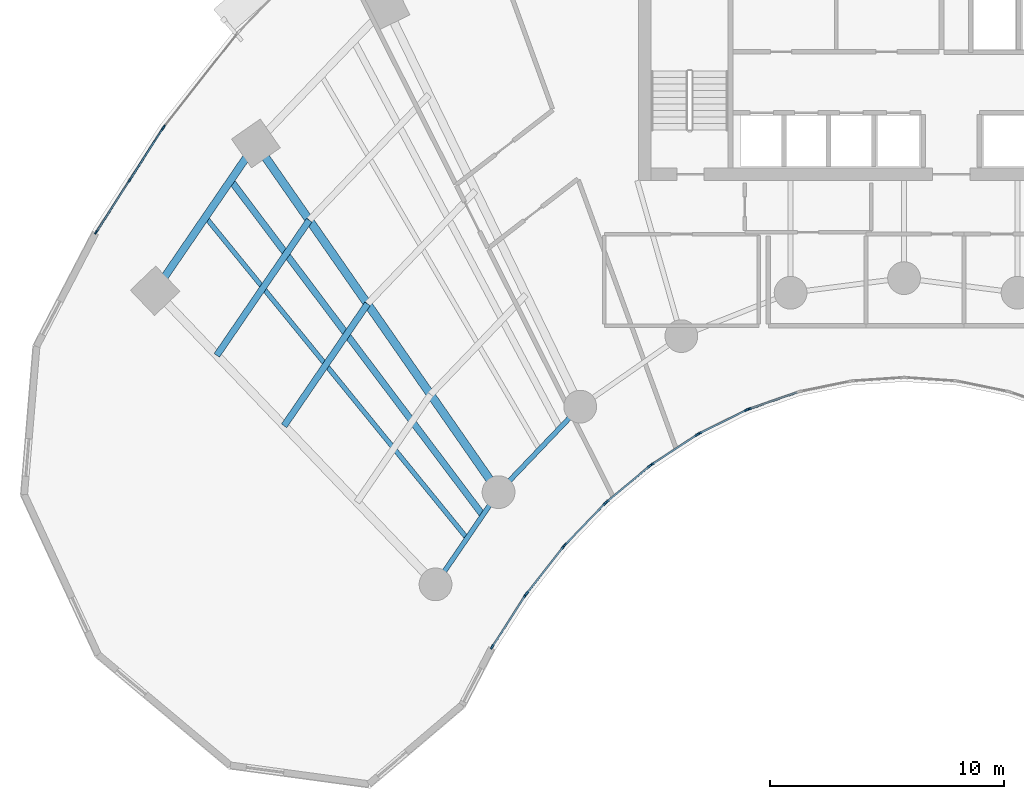
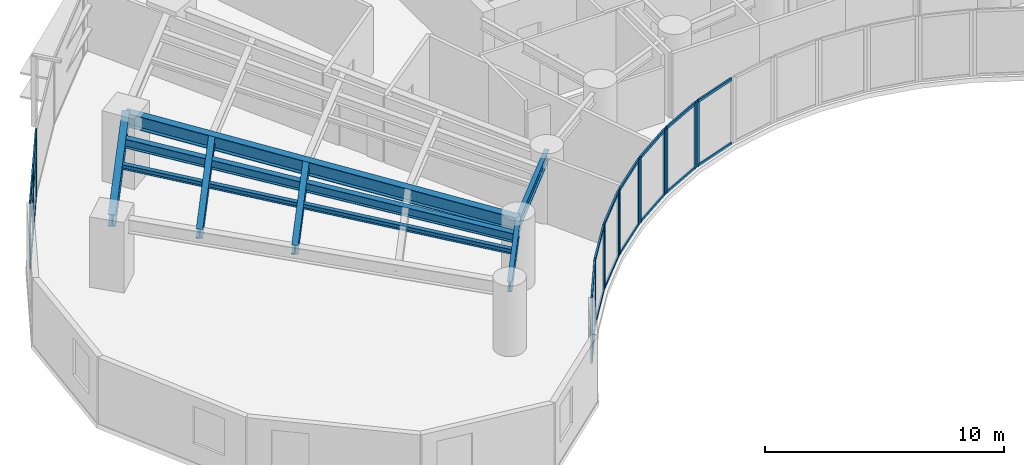
# One storey, part 2 of 17: 37 members, 8 beams, 9 elements without a shape of their own.
"""IFC4 building model written with IfcOpenShell, lengths in metres."""

from ifc_helpers import new_model, si_unit, direction, frame, origin, origin_2d, place, context, subcontext, project, spatial, rectangle, i_section, extrude, source, transform, mapped, material, layer, layer_set, material_profile, profile_set, type_object, type_shapes, element, aggregate, save


model = new_model("IFC4")

# Units and contexts
model_context = context("Model", 3, precision=1e-05, world=origin(), true_north=direction((0.0, 1.0)))
body_context = subcontext(model_context, "Body", "Model", "MODEL_VIEW")
ifc_project = project(units=[si_unit("LENGTHUNIT", "METRE"), si_unit("AREAUNIT", "SQUARE_METRE"), si_unit("VOLUMEUNIT", "CUBIC_METRE"), si_unit("PLANEANGLEUNIT", "RADIAN"), si_unit("MASSUNIT", "GRAM", prefix="KILO")], contexts=[model_context])

# Site, building, storey
site_placement = place(None, origin())
site = spatial("IfcSite", under=ifc_project, at=site_placement, CompositionType="ELEMENT")
building_placement = place(site_placement, origin())
building = spatial("IfcBuilding", under=site, at=building_placement, Name="Breltana Convention Tower", CompositionType="ELEMENT")
storey_placement = place(building_placement, frame((0.0, 0.0, 60.60009765625)))
storey = spatial("IfcBuildingStorey", under=building, at=storey_placement, Name="L13", CompositionType="ELEMENT", Elevation=60.60009765625)

# Beams
ifc_material_1 = material(Name="Steel ASTM A992 Grade 50", Category="steel")
ifc_material_profile_1 = material_profile(ifc_material_1, i_section(OverallWidth=0.323974609375, OverallDepth=0.611083984375, WebThickness=0.0126953125, FlangeThickness=0.01904296875, at=origin_2d()), Name="W24X104")
ifc_profile_set_1 = profile_set([ifc_material_profile_1], Name="Steel ASTM A992 Grade 50")
beam_type_1 = type_object("IfcBeamType", Name="BM-SP-W24X104", PredefinedType="SPANDREL", material=ifc_profile_set_1)
shared_shape_1 = source(origin(), body_context, "Body", "SweptSolid", [
    extrude(i_section(OverallWidth=0.323974609375, OverallDepth=0.611083984375, WebThickness=0.0126953125, FlangeThickness=0.01904296875, at=origin_2d()), origin(), (0.0, 0.0, 1.0), 7.625),
])
type_shapes(beam_type_1, [shared_shape_1])
beam_1_placement = place(storey_placement, frame((16.0068359375, 55.494384765625, 3.054443359375), z_axis=(0.564452031902, 0.825465870694, 0.0), x_axis=(-0.825465870694, 0.564452031902, 0.0)))
element("IfcBeam", 1, at=beam_1_placement, inside=storey, type_object=beam_type_1, Name="L13 Outer Spandrel Beam 01", PredefinedType="SPANDREL", context=body_context, shape_type="MappedRepresentation", body=[
    mapped(shared_shape_1, transform((0.0, 0.0, 0.0), scale=1.0)),
])
ifc_material_profile_2 = material_profile(ifc_material_1, i_section(OverallWidth=0.35498046875, OverallDepth=0.696044921875, WebThickness=0.015380859375, FlangeThickness=0.02490234375, at=origin_2d()), Name="W27X146")
ifc_profile_set_2 = profile_set([ifc_material_profile_2], Name="Steel ASTM A992 Grade 50")
beam_type_2 = type_object("IfcBeamType", Name="BM-RG-W27X146", PredefinedType="USERDEFINED", material=ifc_profile_set_2)
shared_shape_2 = source(origin(), body_context, "Body", "SweptSolid", [
    extrude(i_section(OverallWidth=0.35498046875, OverallDepth=0.696044921875, WebThickness=0.015380859375, FlangeThickness=0.02490234375, at=origin_2d()), origin(), (0.0, 0.0, 1.0), 18.1484375),
])
beam_2_placement = place(storey_placement, frame((30.67724609375, 46.892333984375, 3.011962890625), z_axis=(-0.571207556098, 0.820805657788, 0.0), x_axis=(-0.820805657788, -0.571207556098, 0.0)))
element("IfcBeam", 2, at=beam_2_placement, inside=storey, type_object=beam_type_2, Name="L13 Radial Floor Girder R02", ObjectType="GIRDER", PredefinedType="USERDEFINED", context=body_context, shape_type="MappedRepresentation", body=[
    mapped(shared_shape_2, transform((0.0, 0.0, 0.0), scale=1.0)),
])
ifc_material_profile_3 = material_profile(ifc_material_1, i_section(OverallWidth=0.2099609375, OverallDepth=0.537109375, WebThickness=0.010986328125, FlangeThickness=0.017333984375, at=origin_2d()), Name="W21X68")
ifc_profile_set_3 = profile_set([ifc_material_profile_3], Name="Steel ASTM A992 Grade 50")
beam_type_3 = type_object("IfcBeamType", Name="BM-BM-W21X68", PredefinedType="BEAM", material=ifc_profile_set_3)
shared_shape_3 = source(origin(), body_context, "Body", "SweptSolid", [
    extrude(i_section(OverallWidth=0.2099609375, OverallDepth=0.537109375, WebThickness=0.010986328125, FlangeThickness=0.017333984375, at=origin_2d()), origin(), (0.0, 0.0, 1.0), 4.770263671875),
])
beam_3_placement = place(storey_placement, frame((27.984619140625, 42.95458984375, 3.09130859375), z_axis=(0.564452719055, 0.82546540082, 0.0), x_axis=(-0.82546540082, 0.564452719055, 0.0)))
element("IfcBeam", 3, at=beam_3_placement, inside=storey, type_object=beam_type_3, Name="L13 Inner Ring Beam 01", PredefinedType="BEAM", context=body_context, shape_type="MappedRepresentation", body=[
    mapped(shared_shape_3, transform((0.0, 0.0, 0.0), scale=1.0)),
])
shared_shape_4 = source(origin(), body_context, "Body", "SweptSolid", [
    extrude(i_section(OverallWidth=0.2099609375, OverallDepth=0.537109375, WebThickness=0.010986328125, FlangeThickness=0.017333984375, at=origin_2d()), origin(), (0.0, 0.0, 1.0), 5.05126953125),
])
beam_4_placement = place(storey_placement, frame((30.67724609375, 46.892333984375, 3.09130859375), z_axis=(0.690729753845, 0.7231129975, 0.0), x_axis=(-0.7231129975, 0.690729753845, 0.0)))
element("IfcBeam", 4, at=beam_4_placement, inside=storey, type_object=beam_type_3, Name="L13 Inner Ring Beam 02", PredefinedType="BEAM", context=body_context, shape_type="MappedRepresentation", body=[
    mapped(shared_shape_4, transform((0.0, 0.0, 0.0), scale=1.0)),
])
ifc_material_profile_4 = material_profile(ifc_material_1, i_section(OverallWidth=0.280029296875, OverallDepth=0.462890625, WebThickness=0.0107421875, FlangeThickness=0.017333984375, at=origin_2d()), Name="W18X76")
ifc_profile_set_4 = profile_set([ifc_material_profile_4], Name="Steel ASTM A992 Grade 50")
beam_type_4 = type_object("IfcBeamType", Name="BM-JSG-06", PredefinedType="JOIST", material=ifc_profile_set_4)
shared_shape_5 = source(origin(), body_context, "Body", "SweptSolid", [
    extrude(i_section(OverallWidth=0.280029296875, OverallDepth=0.462890625, WebThickness=0.0107421875, FlangeThickness=0.017333984375, at=origin_2d()), origin(), (0.0, 0.0, 1.0), 6.311767578125),
])
beam_5_placement = place(storey_placement, frame((21.5166015625, 49.72607421875, 3.12841796875), z_axis=(0.564453712577, 0.825464721449, 0.0), x_axis=(-0.825464721449, 0.564453712577, 0.0)))
element("IfcBeam", 5, at=beam_5_placement, inside=storey, type_object=beam_type_4, Name="L13 Composite Floor Joist 01.2", PredefinedType="JOIST", context=body_context, shape_type="MappedRepresentation", body=[
    mapped(shared_shape_5, transform((0.0, 0.0, 0.0), scale=1.0)),
])
shared_shape_6 = source(origin(), body_context, "Body", "SweptSolid", [
    extrude(i_section(OverallWidth=0.280029296875, OverallDepth=0.462890625, WebThickness=0.0107421875, FlangeThickness=0.017333984375, at=origin_2d()), origin(), (0.0, 0.0, 1.0), 6.997314453125),
])
beam_6_placement = place(storey_placement, frame((18.641845703125, 52.735595703125, 3.12841796875), z_axis=(0.564468756361, 0.825454434292, 0.0), x_axis=(-0.825454434292, 0.564468756361, 0.0)))
element("IfcBeam", 6, at=beam_6_placement, inside=storey, type_object=beam_type_4, Name="L13 Composite Floor Joist 01.3", PredefinedType="JOIST", context=body_context, shape_type="MappedRepresentation", body=[
    mapped(shared_shape_6, transform((0.0, 0.0, 0.0), scale=1.0)),
])
ifc_material_profile_5 = material_profile(ifc_material_1, i_section(OverallWidth=0.201904296875, OverallDepth=0.2470703125, WebThickness=0.00732421875, FlangeThickness=0.010986328125, at=origin_2d()), Name="W10X33")
ifc_profile_set_5 = profile_set([ifc_material_profile_5], Name="Steel ASTM A992 Grade 50")
beam_type_5 = type_object("IfcBeamType", Name="BM-JSG-11", PredefinedType="JOIST", material=ifc_profile_set_5)
shared_shape_7 = source(origin(), body_context, "Body", "SweptSolid", [
    extrude(i_section(OverallWidth=0.201904296875, OverallDepth=0.2470703125, WebThickness=0.00732421875, FlangeThickness=0.010986328125, at=origin_2d()), origin(), (0.0, 0.0, 1.0), 17.691650390625),
])
type_shapes(beam_type_5, [shared_shape_7])
beam_7_placement = place(storey_placement, frame((29.330810546875, 44.923583984375, 3.236328125), z_axis=(-0.631476958478, 0.775394642044, 0.0), x_axis=(-0.775394642044, -0.631476958478, 0.0)))
element("IfcBeam", 7, at=beam_7_placement, inside=storey, type_object=beam_type_5, Name="L13 Mid-Bay Radial Trimmer 01", PredefinedType="JOIST", context=body_context, shape_type="MappedRepresentation", body=[
    mapped(shared_shape_7, transform((0.0, 0.0, 0.0), scale=1.0)),
])
shared_shape_8 = source(origin(), body_context, "Body", "SweptSolid", [
    extrude(i_section(OverallWidth=0.280029296875, OverallDepth=0.462890625, WebThickness=0.0107421875, FlangeThickness=0.017333984375, at=origin_2d()), origin(), (0.0, 0.0, 1.0), 17.9072265625),
])
beam_8_placement = place(storey_placement, frame((30.00390625, 45.907958984375, 3.12841796875), z_axis=(-0.601382105028, 0.798961553363, 0.0), x_axis=(-0.798961553363, -0.601382105028, 0.0)))
element("IfcBeam", 8, at=beam_8_placement, inside=storey, type_object=beam_type_4, Name="L13 Quarter-Bay Radial Trimmer 01", PredefinedType="JOIST", context=body_context, shape_type="MappedRepresentation", body=[
    mapped(shared_shape_8, transform((0.0, 0.0, 0.0), scale=1.0)),
])

# Curtain wall, members
ifc_material_2 = material(Name="Aluminium Anodised Bronze Frame", Category="aluminium")
ifc_layer_1 = layer(ifc_material_2, 0.18994140625, Name="Aluminium Anodised Bronze Frame")
ifc_layer_set_1 = layer_set([ifc_layer_1], Name="Aluminium Anodised Bronze Frame")
curtain_wall_type_1 = type_object("IfcCurtainWallType", Name="CW-SYS-1", PredefinedType="NOTDEFINED", material=ifc_layer_set_1)
curtain_wall_1_placement = place(storey_placement, origin())
curtain_wall_1 = element("IfcCurtainWall", 9, at=curtain_wall_1_placement, inside=storey, type_object=curtain_wall_type_1, Name="L13 inner south-court glazing 16", PredefinedType="NOTDEFINED")
ifc_material_3 = material(Name="Aluminium Anodised Bronze", Category="aluminium")
ifc_material_profile_6 = material_profile(ifc_material_3, rectangle(XDim=0.080078125, YDim=0.139892578125, at=origin_2d()), Name="CWT-80X140")
ifc_profile_set_6 = profile_set([ifc_material_profile_6], Name="Aluminium Anodised Bronze")
member_type_1 = type_object("IfcMemberType", Name="CWT-140", PredefinedType="USERDEFINED", material=ifc_profile_set_6)
shared_shape_9 = source(origin(), body_context, "Body", "SweptSolid", [
    extrude(rectangle(XDim=0.080078125, YDim=0.139892578125, at=origin_2d()), origin(), (0.0, 0.0, 1.0), 2.38720703125),
])
type_shapes(member_type_1, [shared_shape_9])
member_1_placement = place(storey_placement, frame((35.2021484375, 46.385009765625, 0.039794921875), z_axis=(-0.694623715393, -0.719373264734, 0.0), x_axis=(0.719373264734, -0.694623715393, 0.0)))
member_1 = element("IfcMember", 10, at=member_1_placement, type_object=member_type_1, Name="CW-01 transom 1.1", ObjectType="TRANSOM", PredefinedType="USERDEFINED", context=body_context, shape_type="MappedRepresentation", body=[
    mapped(shared_shape_9, transform((0.0, 0.0, 0.0), scale=1.0)),
])
member_2_placement = place(storey_placement, frame((35.2021484375, 46.385009765625, 3.31982421875), z_axis=(-0.694623715393, -0.719373264734, 0.0), x_axis=(0.719373264734, -0.694623715393, 0.0)))
member_2 = element("IfcMember", 11, at=member_2_placement, type_object=member_type_1, Name="CW-01 transom 1.2", ObjectType="TRANSOM", PredefinedType="USERDEFINED", context=body_context, shape_type="MappedRepresentation", body=[
    mapped(shared_shape_9, transform((0.0, 0.0, 0.0), scale=1.0)),
])

curtain_wall_2_placement = place(storey_placement, origin())
curtain_wall_2 = element("IfcCurtainWall", 12, at=curtain_wall_2_placement, inside=storey, type_object=curtain_wall_type_1, Name="L13 inner south-court glazing 15", PredefinedType="NOTDEFINED")
shared_shape_10 = source(origin(), body_context, "Body", "SweptSolid", [
    extrude(rectangle(XDim=0.080078125, YDim=0.139892578125, at=origin_2d()), origin(), (0.0, 0.0, 1.0), 2.312255859375),
])
member_3_placement = place(storey_placement, frame((37.10888671875, 47.988037109375, 0.039794921875), z_axis=(-0.767900974507, -0.640568570374, 0.0), x_axis=(0.640568570374, -0.767900974507, 0.0)))
member_3 = element("IfcMember", 13, at=member_3_placement, type_object=member_type_1, Name="CW-01 transom 1.1", ObjectType="TRANSOM", PredefinedType="USERDEFINED", context=body_context, shape_type="MappedRepresentation", body=[
    mapped(shared_shape_10, transform((0.0, 0.0, 0.0), scale=1.0)),
])
member_4_placement = place(storey_placement, frame((37.10888671875, 47.988037109375, 3.31982421875), z_axis=(-0.767900974507, -0.640568570374, 0.0), x_axis=(0.640568570374, -0.767900974507, 0.0)))
member_4 = element("IfcMember", 14, at=member_4_placement, type_object=member_type_1, Name="CW-01 transom 1.2", ObjectType="TRANSOM", PredefinedType="USERDEFINED", context=body_context, shape_type="MappedRepresentation", body=[
    mapped(shared_shape_10, transform((0.0, 0.0, 0.0), scale=1.0)),
])

curtain_wall_3_placement = place(storey_placement, origin())
curtain_wall_3 = element("IfcCurtainWall", 15, at=curtain_wall_3_placement, inside=storey, type_object=curtain_wall_type_1, Name="L13 inner south-court glazing 14", PredefinedType="NOTDEFINED")
shared_shape_11 = source(origin(), body_context, "Body", "SweptSolid", [
    extrude(rectangle(XDim=0.080078125, YDim=0.139892578125, at=origin_2d()), origin(), (0.0, 0.0, 1.0), 2.2421875),
])
member_5_placement = place(storey_placement, frame((39.128173828125, 49.325927734375, 0.039794921875), z_axis=(-0.835982353773, -0.548756324957, 0.0), x_axis=(0.548756324957, -0.835982353773, 0.0)))
member_5 = element("IfcMember", 16, at=member_5_placement, type_object=member_type_1, Name="CW-01 transom 1.1", ObjectType="TRANSOM", PredefinedType="USERDEFINED", context=body_context, shape_type="MappedRepresentation", body=[
    mapped(shared_shape_11, transform((0.0, 0.0, 0.0), scale=1.0)),
])
member_6_placement = place(storey_placement, frame((39.128173828125, 49.325927734375, 3.31982421875), z_axis=(-0.835982353773, -0.548756324957, 0.0), x_axis=(0.548756324957, -0.835982353773, 0.0)))
member_6 = element("IfcMember", 17, at=member_6_placement, type_object=member_type_1, Name="CW-01 transom 1.2", ObjectType="TRANSOM", PredefinedType="USERDEFINED", context=body_context, shape_type="MappedRepresentation", body=[
    mapped(shared_shape_11, transform((0.0, 0.0, 0.0), scale=1.0)),
])

curtain_wall_4_placement = place(storey_placement, origin())
curtain_wall_4 = element("IfcCurtainWall", 18, at=curtain_wall_4_placement, inside=storey, type_object=curtain_wall_type_1, Name="L13 inner south-court glazing 13", PredefinedType="NOTDEFINED")
shared_shape_12 = source(origin(), body_context, "Body", "SweptSolid", [
    extrude(rectangle(XDim=0.080078125, YDim=0.139892578125, at=origin_2d()), origin(), (0.0, 0.0, 1.0), 2.180908203125),
])
member_7_placement = place(storey_placement, frame((41.239501953125, 50.384765625, 0.039794921875), z_axis=(-0.895922266369, -0.444210865045, 0.0), x_axis=(0.444210865045, -0.895922266369, 0.0)))
member_7 = element("IfcMember", 19, at=member_7_placement, type_object=member_type_1, Name="CW-01 transom 1.1", ObjectType="TRANSOM", PredefinedType="USERDEFINED", context=body_context, shape_type="MappedRepresentation", body=[
    mapped(shared_shape_12, transform((0.0, 0.0, 0.0), scale=1.0)),
])
member_8_placement = place(storey_placement, frame((41.239501953125, 50.384765625, 3.31982421875), z_axis=(-0.895922266369, -0.444210865045, 0.0), x_axis=(0.444210865045, -0.895922266369, 0.0)))
member_8 = element("IfcMember", 20, at=member_8_placement, type_object=member_type_1, Name="CW-01 transom 1.2", ObjectType="TRANSOM", PredefinedType="USERDEFINED", context=body_context, shape_type="MappedRepresentation", body=[
    mapped(shared_shape_12, transform((0.0, 0.0, 0.0), scale=1.0)),
])

curtain_wall_5_placement = place(storey_placement, origin())
curtain_wall_5 = element("IfcCurtainWall", 21, at=curtain_wall_5_placement, inside=storey, type_object=curtain_wall_type_1, Name="L13 inner south-court glazing 17", PredefinedType="NOTDEFINED")
shared_shape_13 = source(origin(), body_context, "Body", "SweptSolid", [
    extrude(rectangle(XDim=0.080078125, YDim=0.139892578125, at=origin_2d()), origin(), (0.0, 0.0, 1.0), 2.4638671875),
])
member_9_placement = place(storey_placement, frame((33.427001953125, 44.533447265625, 0.039794921875), z_axis=(-0.618184689608, -0.786032880695, 0.0), x_axis=(0.786032880695, -0.618184689608, 0.0)))
member_9 = element("IfcMember", 22, at=member_9_placement, type_object=member_type_1, Name="CW-01 transom 1.1", ObjectType="TRANSOM", PredefinedType="USERDEFINED", context=body_context, shape_type="MappedRepresentation", body=[
    mapped(shared_shape_13, transform((0.0, 0.0, 0.0), scale=1.0)),
])
member_10_placement = place(storey_placement, frame((33.427001953125, 44.533447265625, 3.31982421875), z_axis=(-0.618184689608, -0.786032880695, 0.0), x_axis=(0.786032880695, -0.618184689608, 0.0)))
member_10 = element("IfcMember", 23, at=member_10_placement, type_object=member_type_1, Name="CW-01 transom 1.2", ObjectType="TRANSOM", PredefinedType="USERDEFINED", context=body_context, shape_type="MappedRepresentation", body=[
    mapped(shared_shape_13, transform((0.0, 0.0, 0.0), scale=1.0)),
])

curtain_wall_6_placement = place(storey_placement, origin())
curtain_wall_6 = element("IfcCurtainWall", 24, at=curtain_wall_6_placement, inside=storey, type_object=curtain_wall_type_1, Name="L13 inner south-court glazing 18", PredefinedType="NOTDEFINED")
shared_shape_14 = source(origin(), body_context, "Body", "SweptSolid", [
    extrude(rectangle(XDim=0.080078125, YDim=0.139892578125, at=origin_2d()), origin(), (0.0, 0.0, 1.0), 2.53955078125),
])
member_11_placement = place(storey_placement, frame((31.801025390625, 42.452392578125, 0.039794921875), z_axis=(-0.540174413174, -0.841553090038, 0.0), x_axis=(0.841553090038, -0.540174413174, 0.0)))
member_11 = element("IfcMember", 25, at=member_11_placement, type_object=member_type_1, Name="CW-01 transom 1.1", ObjectType="TRANSOM", PredefinedType="USERDEFINED", context=body_context, shape_type="MappedRepresentation", body=[
    mapped(shared_shape_14, transform((0.0, 0.0, 0.0), scale=1.0)),
])
member_12_placement = place(storey_placement, frame((31.801025390625, 42.452392578125, 3.31982421875), z_axis=(-0.540174413174, -0.841553090038, 0.0), x_axis=(0.841553090038, -0.540174413174, 0.0)))
member_12 = element("IfcMember", 26, at=member_12_placement, type_object=member_type_1, Name="CW-01 transom 1.2", ObjectType="TRANSOM", PredefinedType="USERDEFINED", context=body_context, shape_type="MappedRepresentation", body=[
    mapped(shared_shape_14, transform((0.0, 0.0, 0.0), scale=1.0)),
])

curtain_wall_7_placement = place(storey_placement, origin())
curtain_wall_7 = element("IfcCurtainWall", 27, at=curtain_wall_7_placement, inside=storey, type_object=curtain_wall_type_1, Name="L13 inner south-court glazing 12", PredefinedType="NOTDEFINED")
shared_shape_15 = source(origin(), body_context, "Body", "SweptSolid", [
    extrude(rectangle(XDim=0.080078125, YDim=0.139892578125, at=origin_2d()), origin(), (0.0, 0.0, 1.0), 2.131103515625),
])
member_13_placement = place(storey_placement, frame((43.421630859375, 51.153076171875, 0.039794921875), z_axis=(-0.944847069856, -0.327511854112, 0.0), x_axis=(0.327511854112, -0.944847069856, 0.0)))
member_13 = element("IfcMember", 28, at=member_13_placement, type_object=member_type_1, Name="CW-01 transom 1.1", ObjectType="TRANSOM", PredefinedType="USERDEFINED", context=body_context, shape_type="MappedRepresentation", body=[
    mapped(shared_shape_15, transform((0.0, 0.0, 0.0), scale=1.0)),
])
member_14_placement = place(storey_placement, frame((43.421630859375, 51.153076171875, 3.31982421875), z_axis=(-0.944847069856, -0.327511854112, 0.0), x_axis=(0.327511854112, -0.944847069856, 0.0)))
member_14 = element("IfcMember", 29, at=member_14_placement, type_object=member_type_1, Name="CW-01 transom 1.2", ObjectType="TRANSOM", PredefinedType="USERDEFINED", context=body_context, shape_type="MappedRepresentation", body=[
    mapped(shared_shape_15, transform((0.0, 0.0, 0.0), scale=1.0)),
])

ifc_layer_2 = layer(ifc_material_2, 0.199951171875, Name="Aluminium Anodised Bronze Frame")
ifc_layer_set_2 = layer_set([ifc_layer_2], Name="Aluminium Anodised Bronze Frame")
curtain_wall_type_2 = type_object("IfcCurtainWallType", Name="CW-SYS-2", PredefinedType="NOTDEFINED", material=ifc_layer_set_2)
curtain_wall_8_placement = place(storey_placement, origin())
curtain_wall_8 = element("IfcCurtainWall", 30, at=curtain_wall_8_placement, inside=storey, type_object=curtain_wall_type_2, Name="L13 outer double-skin inner glazing 1", PredefinedType="NOTDEFINED")
ifc_material_profile_7 = material_profile(ifc_material_3, rectangle(XDim=0.070068359375, YDim=0.1201171875, at=origin_2d()), Name="CWT-70X120")
ifc_profile_set_7 = profile_set([ifc_material_profile_7], Name="Aluminium Anodised Bronze")
member_type_2 = type_object("IfcMemberType", Name="CWT-120", PredefinedType="USERDEFINED", material=ifc_profile_set_7)
shared_shape_16 = source(origin(), body_context, "Body", "SweptSolid", [
    extrude(rectangle(XDim=0.070068359375, YDim=0.1201171875, at=origin_2d()), origin(), (0.0, 0.0, 1.0), 2.56787109375),
])
type_shapes(member_type_2, [shared_shape_16])
member_15_placement = place(storey_placement, frame((13.505859375, 58.0234375, 0.034912109375), z_axis=(0.54022409371, 0.841521199124, 0.0), x_axis=(-0.841521199124, 0.54022409371, 0.0)))
member_15 = element("IfcMember", 31, at=member_15_placement, type_object=member_type_2, Name="CW-02 transom 1.1", ObjectType="TRANSOM", PredefinedType="USERDEFINED", context=body_context, shape_type="MappedRepresentation", body=[
    mapped(shared_shape_16, transform((0.0, 0.0, 0.0), scale=1.0)),
])
member_16_placement = place(storey_placement, frame((13.505859375, 58.0234375, 2.183837890625), z_axis=(0.54022409371, 0.841521199124, 0.0), x_axis=(-0.841521199124, 0.54022409371, 0.0)))
member_16 = element("IfcMember", 32, at=member_16_placement, type_object=member_type_2, Name="CW-02 transom 1.2", ObjectType="TRANSOM", PredefinedType="USERDEFINED", context=body_context, shape_type="MappedRepresentation", body=[
    mapped(shared_shape_16, transform((0.0, 0.0, 0.0), scale=1.0)),
])
member_17_placement = place(storey_placement, frame((13.505859375, 58.0234375, 3.324951171875), z_axis=(0.54022409371, 0.841521199124, 0.0), x_axis=(-0.841521199124, 0.54022409371, 0.0)))
member_17 = element("IfcMember", 33, at=member_17_placement, type_object=member_type_2, Name="CW-02 transom 1.3", ObjectType="TRANSOM", PredefinedType="USERDEFINED", context=body_context, shape_type="MappedRepresentation", body=[
    mapped(shared_shape_16, transform((0.0, 0.0, 0.0), scale=1.0)),
])
member_18_placement = place(storey_placement, frame((14.930908203125, 60.2431640625, 0.034912109375), z_axis=(0.540113540427, 0.841592159806, 0.0), x_axis=(-0.841592159806, 0.540113540427, 0.0)))
member_18 = element("IfcMember", 34, at=member_18_placement, type_object=member_type_2, Name="CW-02 transom 2.1", ObjectType="TRANSOM", PredefinedType="USERDEFINED", context=body_context, shape_type="MappedRepresentation", body=[
    mapped(shared_shape_16, transform((0.0, 0.0, 0.0), scale=1.0)),
])
member_19_placement = place(storey_placement, frame((14.930908203125, 60.2431640625, 2.183837890625), z_axis=(0.540113540427, 0.841592159806, 0.0), x_axis=(-0.841592159806, 0.540113540427, 0.0)))
member_19 = element("IfcMember", 35, at=member_19_placement, type_object=member_type_2, Name="CW-02 transom 2.2", ObjectType="TRANSOM", PredefinedType="USERDEFINED", context=body_context, shape_type="MappedRepresentation", body=[
    mapped(shared_shape_16, transform((0.0, 0.0, 0.0), scale=1.0)),
])
member_20_placement = place(storey_placement, frame((14.930908203125, 60.2431640625, 3.324951171875), z_axis=(0.540113540427, 0.841592159806, 0.0), x_axis=(-0.841592159806, 0.540113540427, 0.0)))
member_20 = element("IfcMember", 36, at=member_20_placement, type_object=member_type_2, Name="CW-02 transom 2.3", ObjectType="TRANSOM", PredefinedType="USERDEFINED", context=body_context, shape_type="MappedRepresentation", body=[
    mapped(shared_shape_16, transform((0.0, 0.0, 0.0), scale=1.0)),
])

# Member
ifc_material_profile_8 = material_profile(ifc_material_3, rectangle(XDim=0.080078125, YDim=0.199951171875, at=origin_2d()), Name="CWM-80X200")
ifc_profile_set_8 = profile_set([ifc_material_profile_8], Name="Aluminium Anodised Bronze")
member_type_3 = type_object("IfcMemberType", Name="CWM-200", PredefinedType="MULLION", material=ifc_profile_set_8)
shared_shape_17 = source(origin(), body_context, "Body", "SweptSolid", [
    extrude(rectangle(XDim=0.080078125, YDim=0.199951171875, at=origin_2d()), origin(), (0.0, 0.0, 1.0), 3.35986328125),
])
member_21_placement = place(storey_placement, frame((41.3701171875, 50.442138671875, 0.0), z_axis=(0.0, 0.0, 1.0), x_axis=(0.327413341714, -0.944881211406, 0.0)))
member_21 = element("IfcMember", 37, at=member_21_placement, type_object=member_type_3, Name="CW-01 mullion 2", PredefinedType="MULLION", context=body_context, shape_type="MappedRepresentation", body=[
    mapped(shared_shape_17, transform((0.0, 0.0, 0.0), scale=1.0)),
])

aggregate(curtain_wall_7, [member_21, member_13, member_14])

member_22_placement = place(storey_placement, frame((41.275390625, 50.40234375, 0.0), z_axis=(0.0, 0.0, 1.0), x_axis=(0.444117987602, -0.895968310315, 0.0)))
member_22 = element("IfcMember", 38, at=member_22_placement, type_object=member_type_3, Name="CW-01 mullion 1", PredefinedType="MULLION", context=body_context, shape_type="MappedRepresentation", body=[
    mapped(shared_shape_17, transform((0.0, 0.0, 0.0), scale=1.0)),
])

member_23_placement = place(storey_placement, frame((39.249755859375, 49.3984375, 0.0), z_axis=(0.0, 0.0, 1.0), x_axis=(0.444117987602, -0.895968310315, 0.0)))
member_23 = element("IfcMember", 39, at=member_23_placement, type_object=member_type_3, Name="CW-01 mullion 2", PredefinedType="MULLION", context=body_context, shape_type="MappedRepresentation", body=[
    mapped(shared_shape_17, transform((0.0, 0.0, 0.0), scale=1.0)),
])

aggregate(curtain_wall_4, [member_22, member_23, member_7, member_8])

member_24_placement = place(storey_placement, frame((39.16162109375, 49.347900390625, 0.0), z_axis=(0.0, 0.0, 1.0), x_axis=(0.548778278441, -0.835967942634, 0.0)))
member_24 = element("IfcMember", 40, at=member_24_placement, type_object=member_type_3, Name="CW-01 mullion 1", PredefinedType="MULLION", context=body_context, shape_type="MappedRepresentation", body=[
    mapped(shared_shape_17, transform((0.0, 0.0, 0.0), scale=1.0)),
])

member_25_placement = place(storey_placement, frame((37.220458984375, 48.073486328125, 0.0), z_axis=(0.0, 0.0, 1.0), x_axis=(0.548778278441, -0.835967942634, 0.0)))
member_25 = element("IfcMember", 41, at=member_25_placement, type_object=member_type_3, Name="CW-01 mullion 2", PredefinedType="MULLION", context=body_context, shape_type="MappedRepresentation", body=[
    mapped(shared_shape_17, transform((0.0, 0.0, 0.0), scale=1.0)),
])

aggregate(curtain_wall_3, [member_24, member_25, member_5, member_6])

member_26_placement = place(storey_placement, frame((37.1396484375, 48.013671875, 0.0), z_axis=(0.0, 0.0, 1.0), x_axis=(0.640522524458, -0.767939382804, 0.0)))
member_26 = element("IfcMember", 42, at=member_26_placement, type_object=member_type_3, Name="CW-01 mullion 1", PredefinedType="MULLION", context=body_context, shape_type="MappedRepresentation", body=[
    mapped(shared_shape_17, transform((0.0, 0.0, 0.0), scale=1.0)),
])

member_27_placement = place(storey_placement, frame((35.302734375, 46.481201171875, 0.0), z_axis=(0.0, 0.0, 1.0), x_axis=(0.640522524458, -0.767939382804, 0.0)))
member_27 = element("IfcMember", 43, at=member_27_placement, type_object=member_type_3, Name="CW-01 mullion 2", PredefinedType="MULLION", context=body_context, shape_type="MappedRepresentation", body=[
    mapped(shared_shape_17, transform((0.0, 0.0, 0.0), scale=1.0)),
])

aggregate(curtain_wall_2, [member_26, member_27, member_3, member_4])

member_28_placement = place(storey_placement, frame((35.22998046875, 46.413818359375, 0.0), z_axis=(0.0, 0.0, 1.0), x_axis=(0.719384548773, -0.694612029111, 0.0)))
member_28 = element("IfcMember", 44, at=member_28_placement, type_object=member_type_3, Name="CW-01 mullion 1", PredefinedType="MULLION", context=body_context, shape_type="MappedRepresentation", body=[
    mapped(shared_shape_17, transform((0.0, 0.0, 0.0), scale=1.0)),
])

member_29_placement = place(storey_placement, frame((33.51611328125, 44.638916015625, 0.0), z_axis=(0.0, 0.0, 1.0), x_axis=(0.719384548773, -0.694612029111, 0.0)))
member_29 = element("IfcMember", 45, at=member_29_placement, type_object=member_type_3, Name="CW-01 mullion 2", PredefinedType="MULLION", context=body_context, shape_type="MappedRepresentation", body=[
    mapped(shared_shape_17, transform((0.0, 0.0, 0.0), scale=1.0)),
])

aggregate(curtain_wall_1, [member_28, member_29, member_1, member_2])

member_30_placement = place(storey_placement, frame((33.45166015625, 44.56494140625, 0.0), z_axis=(0.0, 0.0, 1.0), x_axis=(0.786057762734, -0.61815305034, 0.0)))
member_30 = element("IfcMember", 46, at=member_30_placement, type_object=member_type_3, Name="CW-01 mullion 1", PredefinedType="MULLION", context=body_context, shape_type="MappedRepresentation", body=[
    mapped(shared_shape_17, transform((0.0, 0.0, 0.0), scale=1.0)),
])

member_31_placement = place(storey_placement, frame((31.87890625, 42.565185546875, 0.0), z_axis=(0.0, 0.0, 1.0), x_axis=(0.786057762734, -0.61815305034, 0.0)))
member_31 = element("IfcMember", 47, at=member_31_placement, type_object=member_type_3, Name="CW-01 mullion 2", PredefinedType="MULLION", context=body_context, shape_type="MappedRepresentation", body=[
    mapped(shared_shape_17, transform((0.0, 0.0, 0.0), scale=1.0)),
])

aggregate(curtain_wall_5, [member_30, member_31, member_9, member_10])

member_32_placement = place(storey_placement, frame((31.82275390625, 42.48583984375, 0.0), z_axis=(0.0, 0.0, 1.0), x_axis=(0.841556194767, -0.540169576197, 0.0)))
member_32 = element("IfcMember", 48, at=member_32_placement, type_object=member_type_3, Name="CW-01 mullion 1", PredefinedType="MULLION", context=body_context, shape_type="MappedRepresentation", body=[
    mapped(shared_shape_17, transform((0.0, 0.0, 0.0), scale=1.0)),
])

member_33_placement = place(storey_placement, frame((30.40771484375, 40.281494140625, 0.0), z_axis=(0.0, 0.0, 1.0), x_axis=(0.841556194767, -0.540169576197, 0.0)))
member_33 = element("IfcMember", 49, at=member_33_placement, type_object=member_type_3, Name="CW-01 mullion 2", PredefinedType="MULLION", context=body_context, shape_type="MappedRepresentation", body=[
    mapped(shared_shape_17, transform((0.0, 0.0, 0.0), scale=1.0)),
])

aggregate(curtain_wall_6, [member_32, member_33, member_11, member_12])

ifc_material_profile_9 = material_profile(ifc_material_3, rectangle(XDim=0.070068359375, YDim=0.175048828125, at=origin_2d()), Name="CWM-70X175")
ifc_profile_set_9 = profile_set([ifc_material_profile_9], Name="Aluminium Anodised Bronze")
member_type_4 = type_object("IfcMemberType", Name="CWM-175", PredefinedType="MULLION", material=ifc_profile_set_9)
shared_shape_18 = source(origin(), body_context, "Body", "SweptSolid", [
    extrude(rectangle(XDim=0.070068359375, YDim=0.175048828125, at=origin_2d()), origin(), (0.0, 0.0, 1.0), 3.35986328125),
])
member_34_placement = place(storey_placement, frame((13.487060546875, 57.993896484375, 0.0), z_axis=(0.0, 0.0, 1.0), x_axis=(-0.841549039154, 0.540180724109, 0.0)))
member_34 = element("IfcMember", 50, at=member_34_placement, type_object=member_type_4, Name="CW-02 mullion 1", PredefinedType="MULLION", context=body_context, shape_type="MappedRepresentation", body=[
    mapped(shared_shape_18, transform((0.0, 0.0, 0.0), scale=1.0)),
])

member_35_placement = place(storey_placement, frame((14.911865234375, 60.2138671875, 0.0), z_axis=(0.0, 0.0, 1.0), x_axis=(-0.841549039154, 0.540180724109, 0.0)))
member_35 = element("IfcMember", 51, at=member_35_placement, type_object=member_type_4, Name="CW-02 mullion 2", PredefinedType="MULLION", context=body_context, shape_type="MappedRepresentation", body=[
    mapped(shared_shape_18, transform((0.0, 0.0, 0.0), scale=1.0)),
])

member_36_placement = place(storey_placement, frame((16.3369140625, 62.43359375, 0.0), z_axis=(0.0, 0.0, 1.0), x_axis=(-0.841549039154, 0.540180724109, 0.0)))
member_36 = element("IfcMember", 52, at=member_36_placement, type_object=member_type_4, Name="CW-02 mullion 3", PredefinedType="MULLION", context=body_context, shape_type="MappedRepresentation", body=[
    mapped(shared_shape_18, transform((0.0, 0.0, 0.0), scale=1.0)),
])

aggregate(curtain_wall_8, [member_34, member_35, member_36, member_15, member_16, member_17, member_18, member_19, member_20])

# Curtain wall, member
curtain_wall_9_placement = place(storey_placement, origin())
curtain_wall_9 = element("IfcCurtainWall", 53, at=curtain_wall_9_placement, inside=storey, type_object=curtain_wall_type_2, Name="L13 outer double-skin inner glazing 2", PredefinedType="NOTDEFINED")
member_37_placement = place(storey_placement, frame((16.37744140625, 62.49072265625, 0.0), z_axis=(0.0, 0.0, 1.0), x_axis=(-0.786057080698, 0.618153917633, 0.0)))
member_37 = element("IfcMember", 54, at=member_37_placement, type_object=member_type_4, Name="CW-02 mullion 1", PredefinedType="MULLION", context=body_context, shape_type="MappedRepresentation", body=[
    mapped(shared_shape_18, transform((0.0, 0.0, 0.0), scale=1.0)),
])
aggregate(curtain_wall_9, [member_37])

save(model, "model.ifc")
